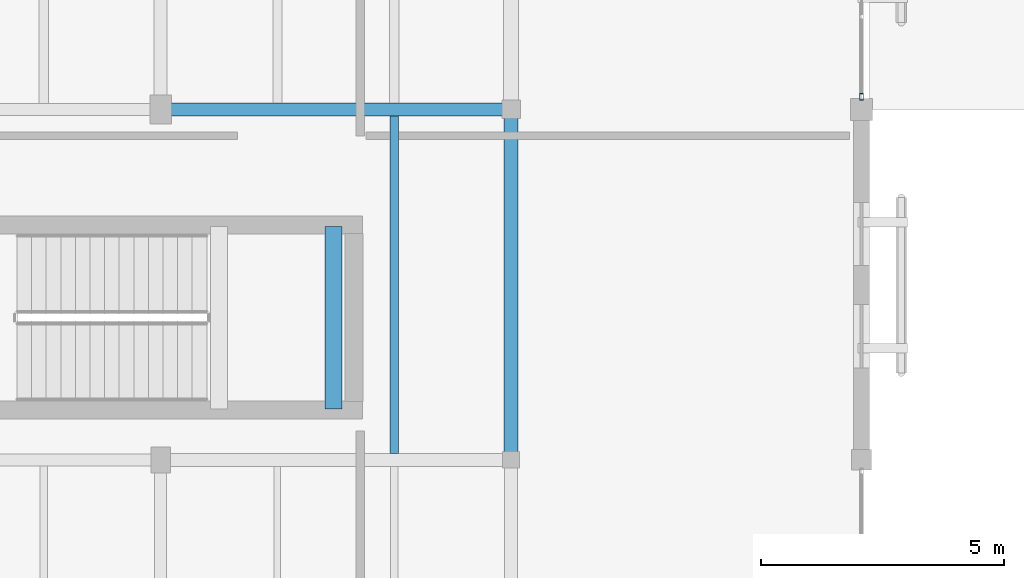
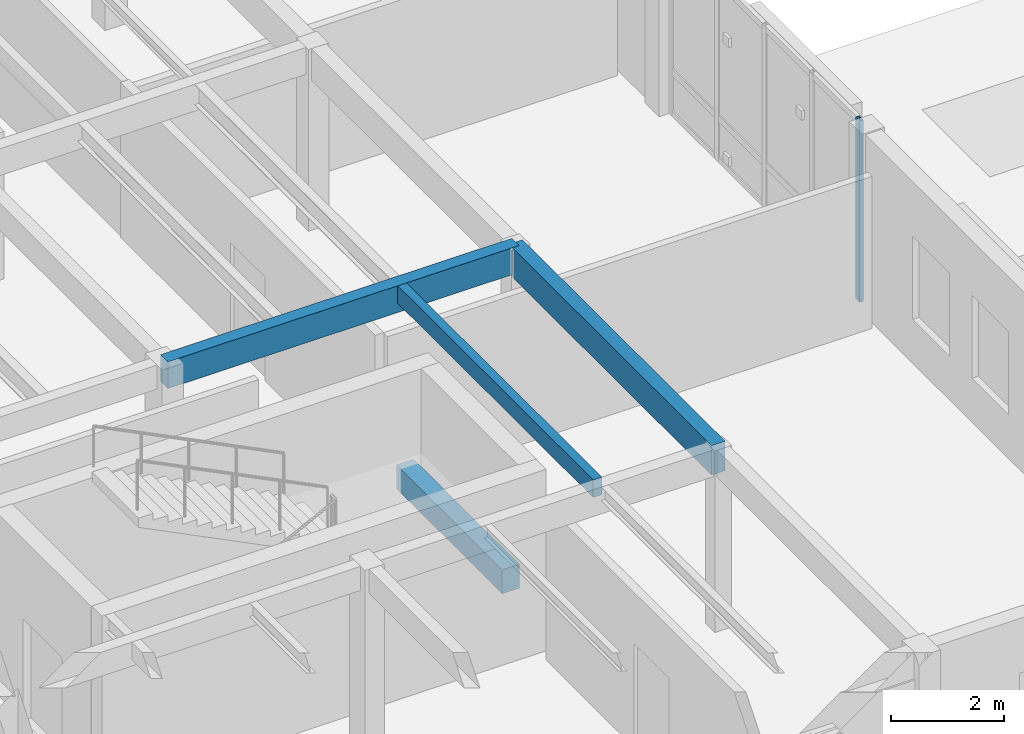
# One storey, part 14 of 61: 4 beams, 1 member, 1 element without a shape of its own.
"""IFC4 building model written with IfcOpenShell, lengths in metres."""

from ifc_helpers import new_model, si_unit, direction, frame, origin, origin_2d, place, context, subcontext, project, spatial, rectangle, hollow_rectangle, extrude, material, layer, layer_set, material_profile, profile_set, type_object, element, aggregate, save


model = new_model("IFC4")

# Units and contexts
model_context = context("Model", 3, precision=1e-05, world=origin(), true_north=direction((0.0, 1.0)))
body_context = subcontext(model_context, "Body", "Model", "MODEL_VIEW")
ifc_project = project(units=[si_unit("LENGTHUNIT", "METRE"), si_unit("AREAUNIT", "SQUARE_METRE"), si_unit("VOLUMEUNIT", "CUBIC_METRE"), si_unit("PLANEANGLEUNIT", "RADIAN"), si_unit("MASSUNIT", "GRAM", prefix="KILO")], contexts=[model_context])

# Site, building, storey
site_placement = place(None, origin())
site = spatial("IfcSite", under=ifc_project, at=site_placement, CompositionType="ELEMENT")
building_placement = place(site_placement, origin())
building = spatial("IfcBuilding", under=site, at=building_placement, Name="Mazaris Harbour Polytechnic", CompositionType="ELEMENT")
storey_placement = place(building_placement, frame((0.0, 0.0, 18.0)))
storey = spatial("IfcBuildingStorey", under=building, at=storey_placement, Name="L04", CompositionType="ELEMENT", Elevation=18.0)

# Curtain wall, member
ifc_material_1 = material(Name="Anodised Bronze Aluminium and Low-E Glass", Category="aluminium")
ifc_layer = layer(ifc_material_1, 0.159912109375, Name="Anodised Bronze Aluminium and Low-E Glass")
ifc_layer_set = layer_set([ifc_layer], Name="Anodised Bronze Aluminium and Low-E Glass")
curtain_wall_type = type_object("IfcCurtainWallType", Name="Cloister Court Curtain Wall", PredefinedType="NOTDEFINED", material=ifc_layer_set)
curtain_wall_placement = place(storey_placement, origin())
curtain_wall = element("IfcCurtainWall", 1, at=curtain_wall_placement, inside=storey, type_object=curtain_wall_type, Name="V4 L04 Curtain Wall 163", PredefinedType="NOTDEFINED")
ifc_material_2 = material(Name="Anodised Bronze Steel S355", Category="steel")
ifc_material_profile_1 = material_profile(ifc_material_2, hollow_rectangle(XDim=0.080078125, YDim=0.139892578125, WallThickness=0.00634765625, at=origin_2d()), Name="RHS 80x140x6.3")
ifc_profile_set_1 = profile_set([ifc_material_profile_1], Name="Anodised Bronze Steel S355")
member_type = type_object("IfcMemberType", Name="Curtain Mullion RHS80x140", PredefinedType="MULLION", material=ifc_profile_set_1)
member_placement = place(storey_placement, frame((43.199951171875, 21.862060546875, 0.0), z_axis=(0.0, 0.0, 1.0), x_axis=(1.0, 0.0, 0.0)))
member = element("IfcMember", 2, at=member_placement, type_object=member_type, Name="CW-02 mullion 5", PredefinedType="MULLION", context=body_context, shape_type="SweptSolid", body=[
    extrude(hollow_rectangle(XDim=0.080078125, YDim=0.139892578125, WallThickness=0.00634765625, at=origin_2d()), origin(), (0.0, 0.0, 1.0), 3.93505859375),
])
aggregate(curtain_wall, [member])

# Beams
ifc_material_3 = material(Name="Glulam GL32h", Category="wood")
ifc_material_profile_2 = material_profile(ifc_material_3, rectangle(XDim=0.260009765625, YDim=0.580078125, at=origin_2d()), Name="RECT260x580")
ifc_profile_set_2 = profile_set([ifc_material_profile_2], Name="Glulam GL32h")
beam_type_1 = type_object("IfcBeamType", Name="Glulam Girder 260x580", PredefinedType="BEAM", material=ifc_profile_set_2)
beam_1_placement = place(storey_placement, frame((28.800048828125, 21.60009765625, 3.64501953125), z_axis=(1.0, 0.0, 0.0), x_axis=(0.0, 1.0, 0.0)))
element("IfcBeam", 3, at=beam_1_placement, inside=storey, type_object=beam_type_1, Name="V4 L04 Girder 2376", PredefinedType="BEAM", context=body_context, shape_type="SweptSolid", body=[
    extrude(rectangle(XDim=0.260009765625, YDim=0.580078125, at=origin_2d()), origin(), (0.0, 0.0, 1.0), 7.199951171875),
])
ifc_material_4 = material(Name="Glulam GL32h", Category="wood")
ifc_material_profile_3 = material_profile(ifc_material_4, rectangle(XDim=0.280029296875, YDim=0.639892578125, at=origin_2d()), Name="RECT280x640")
ifc_profile_set_3 = profile_set([ifc_material_profile_3], Name="Glulam GL32h")
beam_type_2 = type_object("IfcBeamType", Name="Glulam Girder 280x640 Exterior", PredefinedType="BEAM", material=ifc_profile_set_3)
beam_2_placement = place(storey_placement, frame((36.0, 14.39990234375, 3.614990234375), z_axis=(0.0, 1.0, 0.0), x_axis=(-1.0, 0.0, 0.0)))
element("IfcBeam", 4, at=beam_2_placement, inside=storey, type_object=beam_type_2, Name="V4 L04 Tie Girder 2427", PredefinedType="BEAM", context=body_context, shape_type="SweptSolid", body=[
    extrude(rectangle(XDim=0.280029296875, YDim=0.639892578125, at=origin_2d()), origin(), (0.0, 0.0, 1.0), 7.2001953125),
])
ifc_material_5 = material(Name="Glulam GL28h", Category="wood")
ifc_material_profile_4 = material_profile(ifc_material_5, rectangle(XDim=0.179931640625, YDim=0.3798828125, at=origin_2d()), Name="RECT180x380")
ifc_profile_set_4 = profile_set([ifc_material_profile_4], Name="Glulam GL28h")
beam_type_3 = type_object("IfcBeamType", Name="Glulam Joist 180x380", PredefinedType="JOIST", material=ifc_profile_set_4)
beam_3_placement = place(storey_placement, frame((33.60009765625, 14.530029296875, 3.7451171875), z_axis=(0.0, 1.0, 0.0), x_axis=(-1.0, 0.0, 0.0)))
element("IfcBeam", 5, at=beam_3_placement, inside=storey, type_object=beam_type_3, Name="V4 L04 Floor Joist 2475", PredefinedType="JOIST", context=body_context, shape_type="SweptSolid", body=[
    extrude(rectangle(XDim=0.179931640625, YDim=0.3798828125, at=origin_2d()), origin(), (0.0, 0.0, 1.0), 6.93994140625),
])
ifc_material_6 = material(Name="Concrete C40/50", Category="concrete")
ifc_material_profile_5 = material_profile(ifc_material_6, rectangle(XDim=0.35009765625, YDim=0.52001953125, at=origin_2d()), Name="RECT350x520")
ifc_profile_set_5 = profile_set([ifc_material_profile_5], Name="Concrete C40/50")
beam_type_4 = type_object("IfcBeamType", Name="RC Landing Bearer 350x520", PredefinedType="BEAM", material=ifc_profile_set_5)
beam_4_placement = place(storey_placement, frame((32.35009765625, 15.449951171875, 1.639892578125), z_axis=(0.0, 1.0, 0.0), x_axis=(-1.0, 0.0, 0.0)))
element("IfcBeam", 6, at=beam_4_placement, inside=storey, type_object=beam_type_4, Name="Core ST08 L04 Landing Bearer", PredefinedType="BEAM", context=body_context, shape_type="SweptSolid", body=[
    extrude(rectangle(XDim=0.35009765625, YDim=0.52001953125, at=origin_2d()), origin(), (0.0, 0.0, 1.0), 3.75),
])

save(model, "model.ifc")
